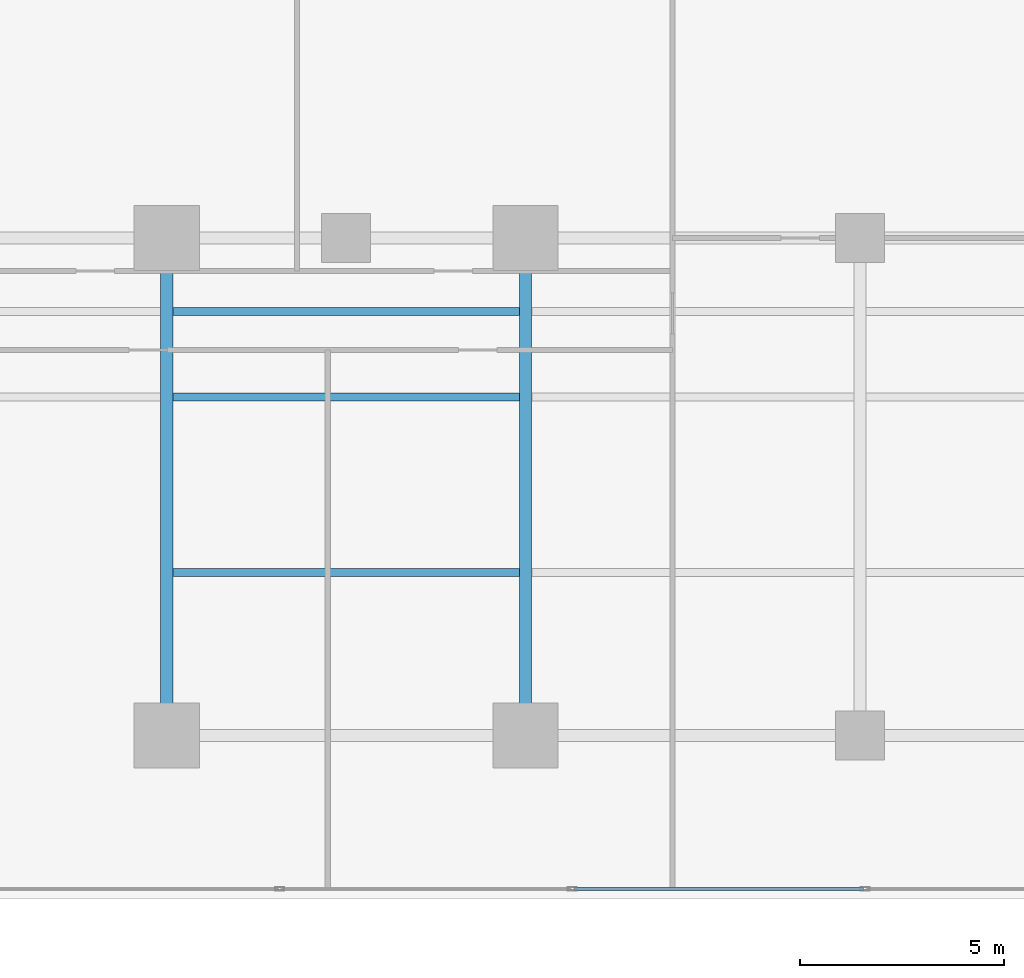
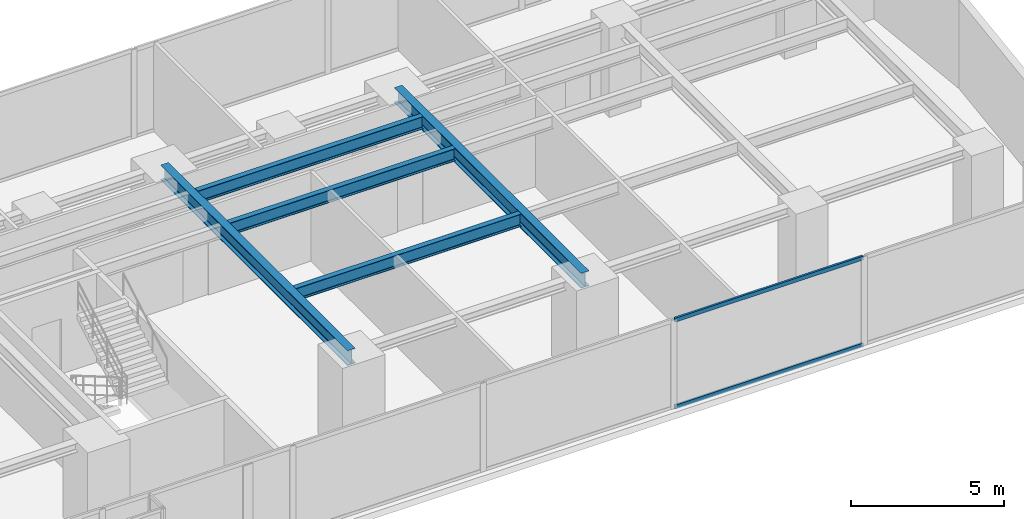
# One storey, part 10 of 26: 5 beams, 2 members, 1 element without a shape of its own.
"""IFC4 building model written with IfcOpenShell, lengths in metres."""

from ifc_helpers import new_model, si_unit, direction, frame, origin, origin_with_axes, origin_2d, place, context, subcontext, project, spatial, hollow_rectangle, i_section, extrude, source, transform, mapped, material, layer, layer_set, material_profile, profile_set, type_object, element, aggregate, save


model = new_model("IFC4")

# Units and contexts
model_context = context("Model", 3, precision=1e-05, world=origin(), true_north=direction((0.0, 1.0)))
body_context = subcontext(model_context, "Body", "Model", "MODEL_VIEW")
ifc_project = project(units=[si_unit("LENGTHUNIT", "METRE"), si_unit("AREAUNIT", "SQUARE_METRE"), si_unit("VOLUMEUNIT", "CUBIC_METRE"), si_unit("PLANEANGLEUNIT", "RADIAN"), si_unit("MASSUNIT", "GRAM", prefix="KILO")], contexts=[model_context])

# Site, building, storey
site_placement = place(None, origin())
site = spatial("IfcSite", under=ifc_project, at=site_placement, CompositionType="ELEMENT")
building_placement = place(site_placement, origin())
building = spatial("IfcBuilding", under=site, at=building_placement, Name="Kolvaren Waterfront Exchange", CompositionType="ELEMENT")
storey_placement = place(building_placement, frame((0.0, 0.0, 44.800048828125)))
storey = spatial("IfcBuildingStorey", under=building, at=storey_placement, Name="L11", CompositionType="ELEMENT", Elevation=44.800048828125)

# Beams
ifc_material_1 = material(Name="Steel S355", Category="steel")
ifc_material_profile_1 = material_profile(ifc_material_1, i_section(OverallWidth=0.300048828125, OverallDepth=0.60009765625, WebThickness=0.015380859375, FlangeThickness=0.030029296875, FilletRadius=0.027099609375, at=origin_2d()), Name="HEB600")
ifc_profile_set_1 = profile_set([ifc_material_profile_1], Name="Steel S355")
beam_type_1 = type_object("IfcBeamType", Name="STR-BM-HEB600", PredefinedType="BEAM", material=ifc_profile_set_1)
for number, where, z_axis, x_axis, name in (
    (1, (36.800048828125, 5.199951171875, 3.239990234375), (0.0, 1.0, 0.0), (-1.0, 0.0, 0.0), "L11 east-arm transverse girder X36"),
    (2, (45.60009765625, 5.199951171875, 3.239990234375), (0.0, 1.0, 0.0), (-1.0, 0.0, 0.0), "L11 east-arm transverse girder X45"),
):
    element("IfcBeam", number, at=place(storey_placement, frame(where, z_axis=z_axis, x_axis=x_axis)), inside=storey, type_object=beam_type_1, Name=name, PredefinedType="BEAM", context=body_context, shape_type="SweptSolid", body=[
        extrude(i_section(OverallWidth=0.300048828125, OverallDepth=0.60009765625, WebThickness=0.015380859375, FlangeThickness=0.030029296875, FilletRadius=0.027099609375, at=origin_2d()), origin(), (0.0, 0.0, 1.0), 12.199951171875),
    ])
ifc_material_profile_2 = material_profile(ifc_material_1, i_section(OverallWidth=0.199951171875, OverallDepth=0.5, WebThickness=0.01025390625, FlangeThickness=0.01611328125, FilletRadius=0.02099609375, at=origin_2d()), Name="IPE500")
ifc_profile_set_2 = profile_set([ifc_material_profile_2], Name="Steel S355")
beam_type_2 = type_object("IfcBeamType", Name="STR-BM-IPE500", PredefinedType="JOIST", material=ifc_profile_set_2)
for number, where, z_axis, x_axis, name in (
    (3, (36.951904296875, 13.5, 3.2900390625), (1.0, 0.0, 0.0), (0.0, 1.0, 0.0), "L11 east-arm composite joist 3A"),
    (4, (36.951904296875, 15.60009765625, 3.2900390625), (1.0, 0.0, 0.0), (0.0, 1.0, 0.0), "L11 east-arm composite joist 3C"),
    (5, (36.951904296875, 9.199951171875, 3.2900390625), (1.0, 0.0, 0.0), (0.0, 1.0, 0.0), "L11 east-arm composite joist 3B"),
):
    element("IfcBeam", number, at=place(storey_placement, frame(where, z_axis=z_axis, x_axis=x_axis)), inside=storey, type_object=beam_type_2, Name=name, PredefinedType="JOIST", context=body_context, shape_type="SweptSolid", body=[
        extrude(i_section(OverallWidth=0.199951171875, OverallDepth=0.5, WebThickness=0.01025390625, FlangeThickness=0.01611328125, FilletRadius=0.02099609375, at=origin_2d()), origin(), (0.0, 0.0, 1.0), 8.49609375),
    ])

# Curtain wall, members
ifc_material_2 = material(Name="Anodised bronze aluminium 6063-T6", Category="aluminium")
ifc_layer = layer(ifc_material_2, 0.219970703125, Name="Anodised bronze aluminium 6063-T6")
ifc_layer_set = layer_set([ifc_layer], Name="Anodised bronze aluminium 6063-T6")
curtain_wall_type = type_object("IfcCurtainWallType", Name="ARC-CW-SYS1", PredefinedType="USERDEFINED", material=ifc_layer_set)
curtain_wall_placement = place(storey_placement, origin())
curtain_wall = element("IfcCurtainWall", 6, at=curtain_wall_placement, inside=storey, type_object=curtain_wall_type, Name="L11 stick curtain wall CW1 (CW-L11-S)", ObjectType="STICK CURTAIN WALL", PredefinedType="USERDEFINED")
ifc_material_3 = material(Name="Anodised aluminium 6063-T6", Category="aluminium")
ifc_material_profile_3 = material_profile(ifc_material_3, hollow_rectangle(XDim=0.074951171875, YDim=0.159912109375, WallThickness=0.00439453125, at=origin_2d()), Name="ALU-TRN-160x75x4.5")
ifc_profile_set_3 = profile_set([ifc_material_profile_3], Name="Anodised aluminium 6063-T6")
member_type = type_object("IfcMemberType", Name="ARC-CWT-160", PredefinedType="USERDEFINED", material=ifc_profile_set_3)
shared_shape = source(origin_with_axes(), body_context, "Body", "SweptSolid", [
    extrude(hollow_rectangle(XDim=0.074951171875, YDim=0.159912109375, WallThickness=0.00439453125, at=origin_2d()), origin(), (0.0, 0.0, 1.0), 7.094970703125),
])
member_1_placement = place(storey_placement, frame((46.7900390625, 1.43994140625, 0.037353515625), z_axis=(1.0, 0.0, 0.0), x_axis=(0.0, 1.0, 0.0)))
member_1 = element("IfcMember", 7, at=member_1_placement, type_object=member_type, Name="CW1 transom 7.1", ObjectType="TRANSOM", PredefinedType="USERDEFINED", context=body_context, shape_type="MappedRepresentation", body=[
    mapped(shared_shape, transform((0.0, 0.0, 0.0), x_axis=(1.0, 0.0, 0.0), y_axis=(0.0, 1.0, 0.0), z_axis=(0.0, 0.0, 1.0), scale=1.0)),
])
member_2_placement = place(storey_placement, frame((46.7900390625, 1.43994140625, 3.50244140625), z_axis=(1.0, 0.0, 0.0), x_axis=(0.0, 1.0, 0.0)))
member_2 = element("IfcMember", 8, at=member_2_placement, type_object=member_type, Name="CW1 transom 7.2", ObjectType="TRANSOM", PredefinedType="USERDEFINED", context=body_context, shape_type="MappedRepresentation", body=[
    mapped(shared_shape, transform((0.0, 0.0, 0.0), x_axis=(1.0, 0.0, 0.0), y_axis=(0.0, 1.0, 0.0), z_axis=(0.0, 0.0, 1.0), scale=1.0)),
])
aggregate(curtain_wall, [member_1, member_2])

save(model, "model.ifc")
